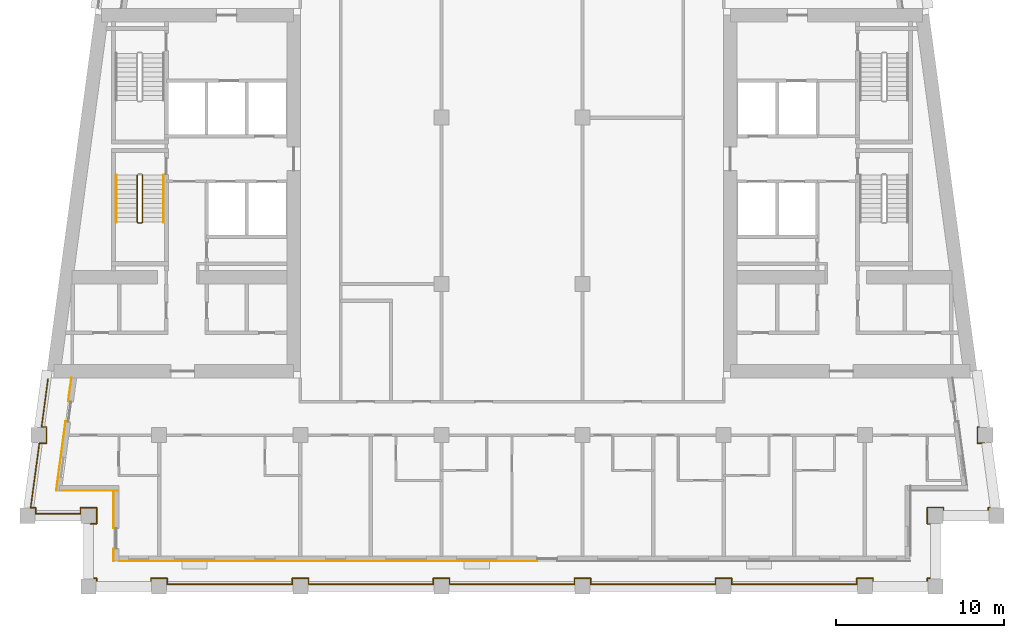
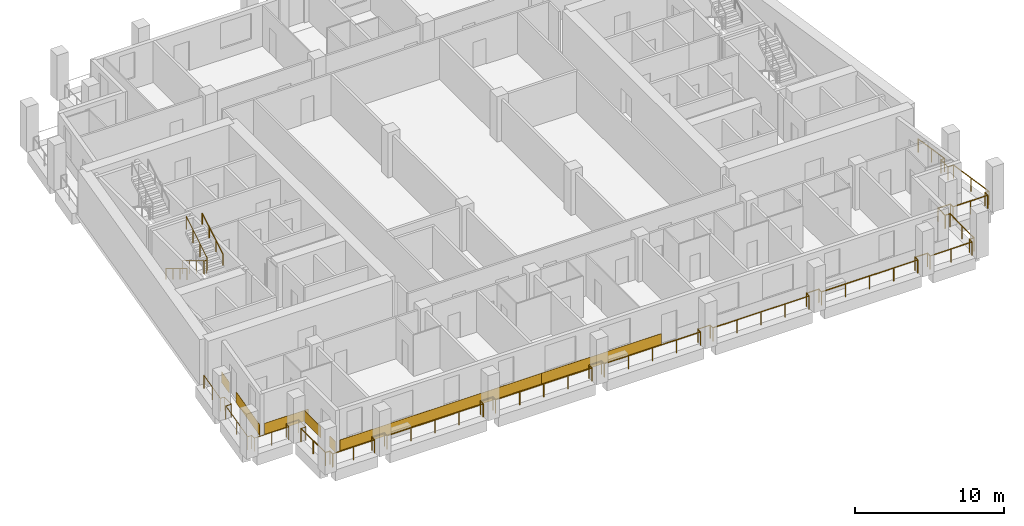
# One storey, part 8 of 12: 7 coverings, 5 railings.
"""IFC4 building model written with IfcOpenShell, lengths in metres."""

from ifc_helpers import new_model, si_unit, direction, frame, origin, origin_2d, place, context, subcontext, project, spatial, rectangle, circle, extrude, material, layer, layer_set, type_object, element, save


model = new_model("IFC4")

# Units and contexts
model_context = context("Model", 3, precision=1e-05, world=origin(), true_north=direction((0.0, 1.0)))
body_context = subcontext(model_context, "Body", "Model", "MODEL_VIEW")
ifc_project = project(units=[si_unit("LENGTHUNIT", "METRE"), si_unit("AREAUNIT", "SQUARE_METRE"), si_unit("VOLUMEUNIT", "CUBIC_METRE"), si_unit("PLANEANGLEUNIT", "RADIAN"), si_unit("MASSUNIT", "GRAM", prefix="KILO")], contexts=[model_context])

# Site, building, storey
site_placement = place(None, origin())
site = spatial("IfcSite", under=ifc_project, at=site_placement, CompositionType="ELEMENT")
building_placement = place(site_placement, origin())
building = spatial("IfcBuilding", under=site, at=building_placement, Name="Candeia Pilgrim Tower and Theatre", CompositionType="ELEMENT")
storey_placement = place(building_placement, frame((0.0, 0.0, 224.39990234375)))
storey = spatial("IfcBuildingStorey", under=building, at=storey_placement, Name="L54", CompositionType="ELEMENT", Elevation=224.39990234375)

# Railings
ifc_material_1 = material(Name="Stainless steel balustrade", Category="steel")
railing_type_1 = type_object("IfcRailingType", Name="G1 loggia guard 1100", PredefinedType="GUARDRAIL", material=ifc_material_1)
railing_1_placement = place(storey_placement, frame((88.320068359375, 101.719970703125, 0.0)))
element("IfcRailing", 1, at=railing_1_placement, inside=storey, type_object=railing_type_1, Name="Guard L54.1", PredefinedType="GUARDRAIL", context=body_context, shape_type="SweptSolid", body=[
    extrude(circle(Radius=0.02392578125, at=origin_2d()), frame((0.0, 0.0, 1.076171875), z_axis=(1.0, 0.0, 0.0), x_axis=(0.0, 1.0, 0.0)), (0.0, 0.0, 1.0), 0.35986328125),
    extrude(circle(Radius=0.02392578125, at=origin_2d()), frame((0.35986328125, 0.0, 1.076171875), z_axis=(0.0, 1.0, 0.0), x_axis=(-1.0, 0.0, 0.0)), (0.0, 0.0, 1.0), 0.9599609375),
    extrude(circle(Radius=0.02392578125, at=origin_2d()), frame((0.35986328125, 0.9599609375, 1.076171875), z_axis=(-1.0, 0.0, 0.0), x_axis=(0.0, -1.0, 0.0)), (0.0, 0.0, 1.0), 0.9599609375),
    extrude(circle(Radius=0.02392578125, at=origin_2d()), frame((-0.60009765625, 0.9599609375, 1.076171875), z_axis=(0.0, -1.0, 0.0), x_axis=(1.0, 0.0, 0.0)), (0.0, 0.0, 1.0), 0.35986328125),
    extrude(circle(Radius=0.02392578125, at=origin_2d()), frame((-0.60009765625, 0.60009765625, 1.076171875), z_axis=(-1.0, 0.0, 0.0), x_axis=(0.0, -1.0, 0.0)), (0.0, 0.0, 1.0), 2.674560546875),
    extrude(circle(Radius=0.02392578125, at=origin_2d()), frame((-3.274658203125, 0.60009765625, 1.076171875), z_axis=(0.0, 1.0, 0.0), x_axis=(-1.0, 0.0, 0.0)), (0.0, 0.0, 1.0), 0.35986328125),
    extrude(circle(Radius=0.02392578125, at=origin_2d()), frame((-3.274658203125, 0.9599609375, 1.076171875), z_axis=(-1.0, 0.0, 0.0), x_axis=(0.0, -1.0, 0.0)), (0.0, 0.0, 1.0), 0.29443359375),
    extrude(circle(Radius=0.02392578125, at=origin_2d()), frame((-3.569091796875, 0.9599609375, 1.076171875), z_axis=(0.133451286285, 0.991055373927, 0.0), x_axis=(-0.991055373927, 0.133451286285, 0.0)), (0.0, 0.0, 1.0), 3.874755859375),
    extrude(circle(Radius=0.02392578125, at=origin_2d()), frame((-3.052001953125, 4.800048828125, 1.076171875), z_axis=(1.0, 0.0, 0.0), x_axis=(0.0, 1.0, 0.0)), (0.0, 0.0, 1.0), 0.423583984375),
    extrude(circle(Radius=0.02392578125, at=origin_2d()), frame((-2.62841796875, 4.800048828125, 1.076171875), z_axis=(0.0, 1.0, 0.0), x_axis=(-1.0, 0.0, 0.0)), (0.0, 0.0, 1.0), 0.9599609375),
    extrude(circle(Radius=0.02392578125, at=origin_2d()), frame((-2.62841796875, 5.760009765625, 1.076171875), z_axis=(-1.0, 0.0, 0.0), x_axis=(0.0, -1.0, 0.0)), (0.0, 0.0, 1.0), 0.29443359375),
    extrude(circle(Radius=0.02392578125, at=origin_2d()), frame((-2.9228515625, 5.760009765625, 1.076171875), z_axis=(0.133450228179, 0.991055516406, 0.0), x_axis=(-0.991055516406, 0.133450228179, 0.0)), (0.0, 0.0, 1.0), 2.89599609375),
    extrude(circle(Radius=0.02099609375, at=origin_2d()), origin(), (0.0, 0.0, 1.0), 1.052001953125),
    extrude(circle(Radius=0.02099609375, at=origin_2d()), frame((0.35986328125, 0.0, 0.0)), (0.0, 0.0, 1.0), 1.052001953125),
    extrude(circle(Radius=0.02099609375, at=origin_2d()), frame((0.35986328125, 0.9599609375, 0.0)), (0.0, 0.0, 1.0), 1.052001953125),
    extrude(circle(Radius=0.02099609375, at=origin_2d()), frame((-0.60009765625, 0.9599609375, 0.0)), (0.0, 0.0, 1.0), 1.052001953125),
    extrude(circle(Radius=0.02099609375, at=origin_2d()), frame((-0.60009765625, 0.60009765625, 0.0)), (0.0, 0.0, 1.0), 1.052001953125),
    extrude(circle(Radius=0.02099609375, at=origin_2d()), frame((-1.9375, 0.60009765625, 0.0)), (0.0, 0.0, 1.0), 1.052001953125),
    extrude(circle(Radius=0.02099609375, at=origin_2d()), frame((-3.274658203125, 0.60009765625, 0.0)), (0.0, 0.0, 1.0), 1.052001953125),
    extrude(circle(Radius=0.02099609375, at=origin_2d()), frame((-3.274658203125, 0.9599609375, 0.0)), (0.0, 0.0, 1.0), 1.052001953125),
    extrude(circle(Radius=0.02099609375, at=origin_2d()), frame((-3.569091796875, 0.9599609375, 0.0)), (0.0, 0.0, 1.0), 1.052001953125),
    extrude(circle(Radius=0.02099609375, at=origin_2d()), frame((-3.310546875, 2.8798828125, 0.0)), (0.0, 0.0, 1.0), 1.052001953125),
    extrude(circle(Radius=0.02099609375, at=origin_2d()), frame((-3.052001953125, 4.800048828125, 0.0)), (0.0, 0.0, 1.0), 1.052001953125),
    extrude(circle(Radius=0.02099609375, at=origin_2d()), frame((-2.62841796875, 4.800048828125, 0.0)), (0.0, 0.0, 1.0), 1.052001953125),
    extrude(circle(Radius=0.02099609375, at=origin_2d()), frame((-2.62841796875, 5.760009765625, 0.0)), (0.0, 0.0, 1.0), 1.052001953125),
    extrude(circle(Radius=0.02099609375, at=origin_2d()), frame((-2.9228515625, 5.760009765625, 0.0)), (0.0, 0.0, 1.0), 1.052001953125),
    extrude(circle(Radius=0.02099609375, at=origin_2d()), frame((-2.7294921875, 7.195068359375, 0.0)), (0.0, 0.0, 1.0), 1.052001953125),
    extrude(circle(Radius=0.02099609375, at=origin_2d()), frame((-2.536376953125, 8.630126953125, 0.0)), (0.0, 0.0, 1.0), 1.052001953125),
])
railing_2_placement = place(storey_placement, frame((141.016357421875, 110.35009765625, 0.0)))
element("IfcRailing", 2, at=railing_2_placement, inside=storey, type_object=railing_type_1, Name="Guard L54.4", PredefinedType="GUARDRAIL", context=body_context, shape_type="SweptSolid", body=[
    extrude(circle(Radius=0.02392578125, at=origin_2d()), frame((0.0, 0.0, 1.076171875), z_axis=(0.133450228179, -0.991055516406, 0.0), x_axis=(0.991055516406, 0.133450228179, 0.0)), (0.0, 0.0, 1.0), 2.89599609375),
    extrude(circle(Radius=0.02392578125, at=origin_2d()), frame((0.386474609375, -2.8701171875, 1.076171875), z_axis=(-1.0, 0.0, 0.0), x_axis=(0.0, -1.0, 0.0)), (0.0, 0.0, 1.0), 0.29443359375),
    extrude(circle(Radius=0.02392578125, at=origin_2d()), frame((0.092041015625, -2.8701171875, 1.076171875), z_axis=(0.0, -1.0, 0.0), x_axis=(1.0, 0.0, 0.0)), (0.0, 0.0, 1.0), 0.9599609375),
    extrude(circle(Radius=0.02392578125, at=origin_2d()), frame((0.092041015625, -3.830078125, 1.076171875), z_axis=(1.0, 0.0, 0.0), x_axis=(0.0, 1.0, 0.0)), (0.0, 0.0, 1.0), 0.423583984375),
    extrude(circle(Radius=0.02392578125, at=origin_2d()), frame((0.515625, -3.830078125, 1.076171875), z_axis=(0.133389399471, -0.991063705374, 0.0), x_axis=(0.991063705374, 0.133389399471, 0.0)), (0.0, 0.0, 1.0), 3.874755859375),
    extrude(circle(Radius=0.02392578125, at=origin_2d()), frame((1.032470703125, -7.670166015625, 1.076171875), z_axis=(-1.0, 0.0, 0.0), x_axis=(0.0, -1.0, 0.0)), (0.0, 0.0, 1.0), 0.294189453125),
    extrude(circle(Radius=0.02392578125, at=origin_2d()), frame((0.73828125, -7.670166015625, 1.076171875), z_axis=(0.0, -1.0, 0.0), x_axis=(1.0, 0.0, 0.0)), (0.0, 0.0, 1.0), 0.35986328125),
    extrude(circle(Radius=0.02392578125, at=origin_2d()), frame((0.73828125, -8.030029296875, 1.076171875), z_axis=(-1.0, 0.0, 0.0), x_axis=(0.0, -1.0, 0.0)), (0.0, 0.0, 1.0), 2.674560546875),
    extrude(circle(Radius=0.02392578125, at=origin_2d()), frame((-1.936279296875, -8.030029296875, 1.076171875), z_axis=(0.0, 1.0, 0.0), x_axis=(-1.0, 0.0, 0.0)), (0.0, 0.0, 1.0), 0.35986328125),
    extrude(circle(Radius=0.02392578125, at=origin_2d()), frame((-1.936279296875, -7.670166015625, 1.076171875), z_axis=(-1.0, 0.0, 0.0), x_axis=(0.0, -1.0, 0.0)), (0.0, 0.0, 1.0), 0.9599609375),
    extrude(circle(Radius=0.02392578125, at=origin_2d()), frame((-2.896240234375, -7.670166015625, 1.076171875), z_axis=(0.0, -1.0, 0.0), x_axis=(1.0, 0.0, 0.0)), (0.0, 0.0, 1.0), 0.9599609375),
    extrude(circle(Radius=0.02392578125, at=origin_2d()), frame((-2.896240234375, -8.630126953125, 1.076171875), z_axis=(1.0, 0.0, 0.0), x_axis=(0.0, 1.0, 0.0)), (0.0, 0.0, 1.0), 0.35986328125),
    extrude(circle(Radius=0.02392578125, at=origin_2d()), frame((-2.536376953125, -8.630126953125, 1.076171875), z_axis=(0.0, -1.0, 0.0), x_axis=(1.0, 0.0, 0.0)), (0.0, 0.0, 1.0), 3.239990234375),
    extrude(circle(Radius=0.02392578125, at=origin_2d()), frame((-2.536376953125, -11.8701171875, 1.076171875), z_axis=(-1.0, 0.0, 0.0), x_axis=(0.0, -1.0, 0.0)), (0.0, 0.0, 1.0), 0.35986328125),
    extrude(circle(Radius=0.02392578125, at=origin_2d()), frame((-2.896240234375, -11.8701171875, 1.076171875), z_axis=(0.0, -1.0, 0.0), x_axis=(1.0, 0.0, 0.0)), (0.0, 0.0, 1.0), 0.35986328125),
    extrude(circle(Radius=0.02392578125, at=origin_2d()), frame((-2.896240234375, -12.22998046875, 1.076171875), z_axis=(-1.0, 0.0, 0.0), x_axis=(0.0, -1.0, 0.0)), (0.0, 0.0, 1.0), 3.240234375),
    extrude(circle(Radius=0.02392578125, at=origin_2d()), frame((-6.136474609375, -12.22998046875, 1.076171875), z_axis=(0.0, 1.0, 0.0), x_axis=(-1.0, 0.0, 0.0)), (0.0, 0.0, 1.0), 0.35986328125),
    extrude(circle(Radius=0.02392578125, at=origin_2d()), frame((-6.136474609375, -11.8701171875, 1.076171875), z_axis=(-1.0, 0.0, 0.0), x_axis=(0.0, -1.0, 0.0)), (0.0, 0.0, 1.0), 0.9599609375),
    extrude(circle(Radius=0.02392578125, at=origin_2d()), frame((-7.096435546875, -11.8701171875, 1.076171875), z_axis=(0.0, -1.0, 0.0), x_axis=(1.0, 0.0, 0.0)), (0.0, 0.0, 1.0), 0.35986328125),
    extrude(circle(Radius=0.02392578125, at=origin_2d()), frame((-7.096435546875, -12.22998046875, 1.076171875), z_axis=(-1.0, 0.0, 0.0), x_axis=(0.0, -1.0, 0.0)), (0.0, 0.0, 1.0), 7.43994140625),
    extrude(circle(Radius=0.02392578125, at=origin_2d()), frame((-14.536376953125, -12.22998046875, 1.076171875), z_axis=(0.0, 1.0, 0.0), x_axis=(-1.0, 0.0, 0.0)), (0.0, 0.0, 1.0), 0.35986328125),
    extrude(circle(Radius=0.02392578125, at=origin_2d()), frame((-14.536376953125, -11.8701171875, 1.076171875), z_axis=(-1.0, 0.0, 0.0), x_axis=(0.0, -1.0, 0.0)), (0.0, 0.0, 1.0), 0.9599609375),
    extrude(circle(Radius=0.02392578125, at=origin_2d()), frame((-15.496337890625, -11.8701171875, 1.076171875), z_axis=(0.0, -1.0, 0.0), x_axis=(1.0, 0.0, 0.0)), (0.0, 0.0, 1.0), 0.35986328125),
    extrude(circle(Radius=0.02392578125, at=origin_2d()), frame((-15.496337890625, -12.22998046875, 1.076171875), z_axis=(-1.0, 0.0, 0.0), x_axis=(0.0, -1.0, 0.0)), (0.0, 0.0, 1.0), 7.43994140625),
    extrude(circle(Radius=0.02392578125, at=origin_2d()), frame((-22.936279296875, -12.22998046875, 1.076171875), z_axis=(0.0, 1.0, 0.0), x_axis=(-1.0, 0.0, 0.0)), (0.0, 0.0, 1.0), 0.35986328125),
    extrude(circle(Radius=0.02392578125, at=origin_2d()), frame((-22.936279296875, -11.8701171875, 1.076171875), z_axis=(-1.0, 0.0, 0.0), x_axis=(0.0, -1.0, 0.0)), (0.0, 0.0, 1.0), 0.9599609375),
    extrude(circle(Radius=0.02392578125, at=origin_2d()), frame((-23.896240234375, -11.8701171875, 1.076171875), z_axis=(0.0, -1.0, 0.0), x_axis=(1.0, 0.0, 0.0)), (0.0, 0.0, 1.0), 0.35986328125),
    extrude(circle(Radius=0.02392578125, at=origin_2d()), frame((-23.896240234375, -12.22998046875, 1.076171875), z_axis=(-1.0, 0.0, 0.0), x_axis=(0.0, -1.0, 0.0)), (0.0, 0.0, 1.0), 7.440185546875),
    extrude(circle(Radius=0.02392578125, at=origin_2d()), frame((-31.33642578125, -12.22998046875, 1.076171875), z_axis=(0.0, 1.0, 0.0), x_axis=(-1.0, 0.0, 0.0)), (0.0, 0.0, 1.0), 0.35986328125),
    extrude(circle(Radius=0.02392578125, at=origin_2d()), frame((-31.33642578125, -11.8701171875, 1.076171875), z_axis=(-1.0, 0.0, 0.0), x_axis=(0.0, -1.0, 0.0)), (0.0, 0.0, 1.0), 0.9599609375),
    extrude(circle(Radius=0.02392578125, at=origin_2d()), frame((-32.29638671875, -11.8701171875, 1.076171875), z_axis=(0.0, -1.0, 0.0), x_axis=(1.0, 0.0, 0.0)), (0.0, 0.0, 1.0), 0.35986328125),
    extrude(circle(Radius=0.02392578125, at=origin_2d()), frame((-32.29638671875, -12.22998046875, 1.076171875), z_axis=(-1.0, 0.0, 0.0), x_axis=(0.0, -1.0, 0.0)), (0.0, 0.0, 1.0), 7.43994140625),
    extrude(circle(Radius=0.02392578125, at=origin_2d()), frame((-39.736328125, -12.22998046875, 1.076171875), z_axis=(0.0, 1.0, 0.0), x_axis=(-1.0, 0.0, 0.0)), (0.0, 0.0, 1.0), 0.35986328125),
    extrude(circle(Radius=0.02392578125, at=origin_2d()), frame((-39.736328125, -11.8701171875, 1.076171875), z_axis=(-1.0, 0.0, 0.0), x_axis=(0.0, -1.0, 0.0)), (0.0, 0.0, 1.0), 0.9599609375),
    extrude(circle(Radius=0.02392578125, at=origin_2d()), frame((-40.6962890625, -11.8701171875, 1.076171875), z_axis=(0.0, -1.0, 0.0), x_axis=(1.0, 0.0, 0.0)), (0.0, 0.0, 1.0), 0.35986328125),
    extrude(circle(Radius=0.02392578125, at=origin_2d()), frame((-40.6962890625, -12.22998046875, 1.076171875), z_axis=(-1.0, 0.0, 0.0), x_axis=(0.0, -1.0, 0.0)), (0.0, 0.0, 1.0), 7.440185546875),
    extrude(circle(Radius=0.02392578125, at=origin_2d()), frame((-48.136474609375, -12.22998046875, 1.076171875), z_axis=(0.0, 1.0, 0.0), x_axis=(-1.0, 0.0, 0.0)), (0.0, 0.0, 1.0), 0.35986328125),
    extrude(circle(Radius=0.02392578125, at=origin_2d()), frame((-48.136474609375, -11.8701171875, 1.076171875), z_axis=(-1.0, 0.0, 0.0), x_axis=(0.0, -1.0, 0.0)), (0.0, 0.0, 1.0), 0.9599609375),
    extrude(circle(Radius=0.02392578125, at=origin_2d()), frame((-49.096435546875, -11.8701171875, 1.076171875), z_axis=(0.0, -1.0, 0.0), x_axis=(1.0, 0.0, 0.0)), (0.0, 0.0, 1.0), 0.35986328125),
    extrude(circle(Radius=0.02392578125, at=origin_2d()), frame((-49.096435546875, -12.22998046875, 1.076171875), z_axis=(-1.0, 0.0, 0.0), x_axis=(0.0, -1.0, 0.0)), (0.0, 0.0, 1.0), 3.239990234375),
    extrude(circle(Radius=0.02392578125, at=origin_2d()), frame((-52.33642578125, -12.22998046875, 1.076171875), z_axis=(0.0, 1.0, 0.0), x_axis=(-1.0, 0.0, 0.0)), (0.0, 0.0, 1.0), 0.35986328125),
    extrude(circle(Radius=0.02392578125, at=origin_2d()), frame((-52.33642578125, -11.8701171875, 1.076171875), z_axis=(-1.0, 0.0, 0.0), x_axis=(0.0, -1.0, 0.0)), (0.0, 0.0, 1.0), 0.35986328125),
    extrude(circle(Radius=0.02392578125, at=origin_2d()), frame((-52.6962890625, -11.8701171875, 1.076171875), z_axis=(0.0, 1.0, 0.0), x_axis=(-1.0, 0.0, 0.0)), (0.0, 0.0, 1.0), 3.239990234375),
    extrude(circle(Radius=0.02099609375, at=origin_2d()), origin(), (0.0, 0.0, 1.0), 1.052001953125),
    extrude(circle(Radius=0.02099609375, at=origin_2d()), frame((0.193359375, -1.43505859375, 0.0)), (0.0, 0.0, 1.0), 1.052001953125),
    extrude(circle(Radius=0.02099609375, at=origin_2d()), frame((0.386474609375, -2.8701171875, 0.0)), (0.0, 0.0, 1.0), 1.052001953125),
    extrude(circle(Radius=0.02099609375, at=origin_2d()), frame((0.092041015625, -2.8701171875, 0.0)), (0.0, 0.0, 1.0), 1.052001953125),
    extrude(circle(Radius=0.02099609375, at=origin_2d()), frame((0.092041015625, -3.830078125, 0.0)), (0.0, 0.0, 1.0), 1.052001953125),
    extrude(circle(Radius=0.02099609375, at=origin_2d()), frame((0.515625, -3.830078125, 0.0)), (0.0, 0.0, 1.0), 1.052001953125),
    extrude(circle(Radius=0.02099609375, at=origin_2d()), frame((0.77392578125, -5.75, 0.0)), (0.0, 0.0, 1.0), 1.052001953125),
    extrude(circle(Radius=0.02099609375, at=origin_2d()), frame((1.032470703125, -7.670166015625, 0.0)), (0.0, 0.0, 1.0), 1.052001953125),
    extrude(circle(Radius=0.02099609375, at=origin_2d()), frame((0.73828125, -7.670166015625, 0.0)), (0.0, 0.0, 1.0), 1.052001953125),
    extrude(circle(Radius=0.02099609375, at=origin_2d()), frame((0.73828125, -8.030029296875, 0.0)), (0.0, 0.0, 1.0), 1.052001953125),
    extrude(circle(Radius=0.02099609375, at=origin_2d()), frame((-0.59912109375, -8.030029296875, 0.0)), (0.0, 0.0, 1.0), 1.052001953125),
    extrude(circle(Radius=0.02099609375, at=origin_2d()), frame((-1.936279296875, -8.030029296875, 0.0)), (0.0, 0.0, 1.0), 1.052001953125),
    extrude(circle(Radius=0.02099609375, at=origin_2d()), frame((-1.936279296875, -7.670166015625, 0.0)), (0.0, 0.0, 1.0), 1.052001953125),
    extrude(circle(Radius=0.02099609375, at=origin_2d()), frame((-2.896240234375, -7.670166015625, 0.0)), (0.0, 0.0, 1.0), 1.052001953125),
    extrude(circle(Radius=0.02099609375, at=origin_2d()), frame((-2.896240234375, -8.630126953125, 0.0)), (0.0, 0.0, 1.0), 1.052001953125),
    extrude(circle(Radius=0.02099609375, at=origin_2d()), frame((-2.536376953125, -8.630126953125, 0.0)), (0.0, 0.0, 1.0), 1.052001953125),
    extrude(circle(Radius=0.02099609375, at=origin_2d()), frame((-2.536376953125, -10.25, 0.0)), (0.0, 0.0, 1.0), 1.052001953125),
    extrude(circle(Radius=0.02099609375, at=origin_2d()), frame((-2.536376953125, -11.8701171875, 0.0)), (0.0, 0.0, 1.0), 1.052001953125),
    extrude(circle(Radius=0.02099609375, at=origin_2d()), frame((-2.896240234375, -11.8701171875, 0.0)), (0.0, 0.0, 1.0), 1.052001953125),
    extrude(circle(Radius=0.02099609375, at=origin_2d()), frame((-2.896240234375, -12.22998046875, 0.0)), (0.0, 0.0, 1.0), 1.052001953125),
    extrude(circle(Radius=0.02099609375, at=origin_2d()), frame((-4.516357421875, -12.22998046875, 0.0)), (0.0, 0.0, 1.0), 1.052001953125),
    extrude(circle(Radius=0.02099609375, at=origin_2d()), frame((-6.136474609375, -12.22998046875, 0.0)), (0.0, 0.0, 1.0), 1.052001953125),
    extrude(circle(Radius=0.02099609375, at=origin_2d()), frame((-6.136474609375, -11.8701171875, 0.0)), (0.0, 0.0, 1.0), 1.052001953125),
    extrude(circle(Radius=0.02099609375, at=origin_2d()), frame((-7.096435546875, -11.8701171875, 0.0)), (0.0, 0.0, 1.0), 1.052001953125),
    extrude(circle(Radius=0.02099609375, at=origin_2d()), frame((-7.096435546875, -12.22998046875, 0.0)), (0.0, 0.0, 1.0), 1.052001953125),
    extrude(circle(Radius=0.02099609375, at=origin_2d()), frame((-8.95654296875, -12.22998046875, 0.0)), (0.0, 0.0, 1.0), 1.052001953125),
    extrude(circle(Radius=0.02099609375, at=origin_2d()), frame((-10.81640625, -12.22998046875, 0.0)), (0.0, 0.0, 1.0), 1.052001953125),
    extrude(circle(Radius=0.02099609375, at=origin_2d()), frame((-12.67626953125, -12.22998046875, 0.0)), (0.0, 0.0, 1.0), 1.052001953125),
    extrude(circle(Radius=0.02099609375, at=origin_2d()), frame((-14.536376953125, -12.22998046875, 0.0)), (0.0, 0.0, 1.0), 1.052001953125),
    extrude(circle(Radius=0.02099609375, at=origin_2d()), frame((-14.536376953125, -11.8701171875, 0.0)), (0.0, 0.0, 1.0), 1.052001953125),
    extrude(circle(Radius=0.02099609375, at=origin_2d()), frame((-15.496337890625, -11.8701171875, 0.0)), (0.0, 0.0, 1.0), 1.052001953125),
    extrude(circle(Radius=0.02099609375, at=origin_2d()), frame((-15.496337890625, -12.22998046875, 0.0)), (0.0, 0.0, 1.0), 1.052001953125),
    extrude(circle(Radius=0.02099609375, at=origin_2d()), frame((-17.3564453125, -12.22998046875, 0.0)), (0.0, 0.0, 1.0), 1.052001953125),
    extrude(circle(Radius=0.02099609375, at=origin_2d()), frame((-19.21630859375, -12.22998046875, 0.0)), (0.0, 0.0, 1.0), 1.052001953125),
    extrude(circle(Radius=0.02099609375, at=origin_2d()), frame((-21.076171875, -12.22998046875, 0.0)), (0.0, 0.0, 1.0), 1.052001953125),
    extrude(circle(Radius=0.02099609375, at=origin_2d()), frame((-22.936279296875, -12.22998046875, 0.0)), (0.0, 0.0, 1.0), 1.052001953125),
    extrude(circle(Radius=0.02099609375, at=origin_2d()), frame((-22.936279296875, -11.8701171875, 0.0)), (0.0, 0.0, 1.0), 1.052001953125),
    extrude(circle(Radius=0.02099609375, at=origin_2d()), frame((-23.896240234375, -11.8701171875, 0.0)), (0.0, 0.0, 1.0), 1.052001953125),
    extrude(circle(Radius=0.02099609375, at=origin_2d()), frame((-23.896240234375, -12.22998046875, 0.0)), (0.0, 0.0, 1.0), 1.052001953125),
    extrude(circle(Radius=0.02099609375, at=origin_2d()), frame((-25.75634765625, -12.22998046875, 0.0)), (0.0, 0.0, 1.0), 1.052001953125),
    extrude(circle(Radius=0.02099609375, at=origin_2d()), frame((-27.6162109375, -12.22998046875, 0.0)), (0.0, 0.0, 1.0), 1.052001953125),
    extrude(circle(Radius=0.02099609375, at=origin_2d()), frame((-29.476318359375, -12.22998046875, 0.0)), (0.0, 0.0, 1.0), 1.052001953125),
    extrude(circle(Radius=0.02099609375, at=origin_2d()), frame((-31.33642578125, -12.22998046875, 0.0)), (0.0, 0.0, 1.0), 1.052001953125),
    extrude(circle(Radius=0.02099609375, at=origin_2d()), frame((-31.33642578125, -11.8701171875, 0.0)), (0.0, 0.0, 1.0), 1.052001953125),
    extrude(circle(Radius=0.02099609375, at=origin_2d()), frame((-32.29638671875, -11.8701171875, 0.0)), (0.0, 0.0, 1.0), 1.052001953125),
    extrude(circle(Radius=0.02099609375, at=origin_2d()), frame((-32.29638671875, -12.22998046875, 0.0)), (0.0, 0.0, 1.0), 1.052001953125),
    extrude(circle(Radius=0.02099609375, at=origin_2d()), frame((-34.15625, -12.22998046875, 0.0)), (0.0, 0.0, 1.0), 1.052001953125),
    extrude(circle(Radius=0.02099609375, at=origin_2d()), frame((-36.016357421875, -12.22998046875, 0.0)), (0.0, 0.0, 1.0), 1.052001953125),
    extrude(circle(Radius=0.02099609375, at=origin_2d()), frame((-37.87646484375, -12.22998046875, 0.0)), (0.0, 0.0, 1.0), 1.052001953125),
    extrude(circle(Radius=0.02099609375, at=origin_2d()), frame((-39.736328125, -12.22998046875, 0.0)), (0.0, 0.0, 1.0), 1.052001953125),
    extrude(circle(Radius=0.02099609375, at=origin_2d()), frame((-39.736328125, -11.8701171875, 0.0)), (0.0, 0.0, 1.0), 1.052001953125),
    extrude(circle(Radius=0.02099609375, at=origin_2d()), frame((-40.6962890625, -11.8701171875, 0.0)), (0.0, 0.0, 1.0), 1.052001953125),
    extrude(circle(Radius=0.02099609375, at=origin_2d()), frame((-40.6962890625, -12.22998046875, 0.0)), (0.0, 0.0, 1.0), 1.052001953125),
    extrude(circle(Radius=0.02099609375, at=origin_2d()), frame((-42.556396484375, -12.22998046875, 0.0)), (0.0, 0.0, 1.0), 1.052001953125),
    extrude(circle(Radius=0.02099609375, at=origin_2d()), frame((-44.41650390625, -12.22998046875, 0.0)), (0.0, 0.0, 1.0), 1.052001953125),
    extrude(circle(Radius=0.02099609375, at=origin_2d()), frame((-46.2763671875, -12.22998046875, 0.0)), (0.0, 0.0, 1.0), 1.052001953125),
    extrude(circle(Radius=0.02099609375, at=origin_2d()), frame((-48.136474609375, -12.22998046875, 0.0)), (0.0, 0.0, 1.0), 1.052001953125),
    extrude(circle(Radius=0.02099609375, at=origin_2d()), frame((-48.136474609375, -11.8701171875, 0.0)), (0.0, 0.0, 1.0), 1.052001953125),
    extrude(circle(Radius=0.02099609375, at=origin_2d()), frame((-49.096435546875, -11.8701171875, 0.0)), (0.0, 0.0, 1.0), 1.052001953125),
    extrude(circle(Radius=0.02099609375, at=origin_2d()), frame((-49.096435546875, -12.22998046875, 0.0)), (0.0, 0.0, 1.0), 1.052001953125),
    extrude(circle(Radius=0.02099609375, at=origin_2d()), frame((-50.71630859375, -12.22998046875, 0.0)), (0.0, 0.0, 1.0), 1.052001953125),
    extrude(circle(Radius=0.02099609375, at=origin_2d()), frame((-52.33642578125, -12.22998046875, 0.0)), (0.0, 0.0, 1.0), 1.052001953125),
    extrude(circle(Radius=0.02099609375, at=origin_2d()), frame((-52.33642578125, -11.8701171875, 0.0)), (0.0, 0.0, 1.0), 1.052001953125),
    extrude(circle(Radius=0.02099609375, at=origin_2d()), frame((-52.6962890625, -11.8701171875, 0.0)), (0.0, 0.0, 1.0), 1.052001953125),
    extrude(circle(Radius=0.02099609375, at=origin_2d()), frame((-52.6962890625, -10.25, 0.0)), (0.0, 0.0, 1.0), 1.052001953125),
    extrude(circle(Radius=0.02099609375, at=origin_2d()), frame((-52.6962890625, -8.630126953125, 0.0)), (0.0, 0.0, 1.0), 1.052001953125),
])

# Coverings
ifc_material_2 = material(Name="Glazed ceramic tile bottle green")
ifc_layer_1 = layer(ifc_material_2, 0.02001953125)
ifc_layer_set_1 = layer_set([ifc_layer_1], Name="Glazed ceramic tile bottle green")
covering_type_1 = type_object("IfcCoveringType", Name="Glazed ceramic tile bottle green", PredefinedType="CLADDING", material=ifc_layer_set_1)
covering_1_placement = place(storey_placement, frame((110.25, 99.489990234375, 0.000244140625), z_axis=(0.0, 0.0, 1.0), x_axis=(1.0, 0.0, 0.0)))
element("IfcCovering", 3, at=covering_1_placement, inside=storey, type_object=covering_type_1, Name="Tile cladding bottle green L54", PredefinedType="CLADDING", context=body_context, shape_type="SweptSolid", body=[
    extrude(rectangle(XDim=9.300048828125, YDim=0.02001953125, at=origin_2d()), origin(), (0.0, 0.0, 1.0), 0.89990234375),
])
ifc_material_3 = material(Name="Glazed ceramic tile rust")
ifc_layer_2 = layer(ifc_material_3, 0.02001953125)
ifc_layer_set_2 = layer_set([ifc_layer_2], Name="Glazed ceramic tile rust")
covering_type_2 = type_object("IfcCoveringType", Name="Glazed ceramic tile rust", PredefinedType="CLADDING", material=ifc_layer_set_2)
covering_2_placement = place(storey_placement, frame((97.81005859375, 99.489990234375, 0.000244140625), z_axis=(0.0, 0.0, 1.0), x_axis=(1.0, 0.0, 0.0)))
element("IfcCovering", 4, at=covering_2_placement, inside=storey, type_object=covering_type_2, Name="Tile cladding rust L54", PredefinedType="CLADDING", context=body_context, shape_type="SweptSolid", body=[
    extrude(rectangle(XDim=15.580078125, YDim=0.02001953125, at=origin_2d()), origin(), (0.0, 0.0, 1.0), 0.89990234375),
])
covering_3_placement = place(storey_placement, frame((87.0810546875, 109.71875, 0.000244140625), z_axis=(0.0, 0.0, 1.0), x_axis=(-0.133412012145, -0.991060661622, 0.0)))
element("IfcCovering", 5, at=covering_3_placement, inside=storey, type_object=covering_type_2, Name="Tile cladding rust L54", PredefinedType="CLADDING", context=body_context, shape_type="SweptSolid", body=[
    extrude(rectangle(XDim=1.41796875, YDim=0.02001953125, at=origin_2d()), origin(), (0.0, 0.0, 1.0), 0.89990234375),
])
covering_4_placement = place(storey_placement, frame((86.548583984375, 105.763916015625, 0.000244140625), z_axis=(0.0, 0.0, 1.0), x_axis=(-0.133412012145, -0.991060661622, 0.0)))
element("IfcCovering", 6, at=covering_4_placement, inside=storey, type_object=covering_type_2, Name="Tile cladding rust L54", PredefinedType="CLADDING", context=body_context, shape_type="SweptSolid", body=[
    extrude(rectangle(XDim=4.16259765625, YDim=0.02001953125, at=origin_2d()), origin(), (0.0, 0.0, 1.0), 0.89990234375),
])
covering_5_placement = place(storey_placement, frame((88.311279296875, 103.68994140625, 0.000244140625), z_axis=(0.0, 0.0, 1.0), x_axis=(1.0, 0.0, 0.0)))
element("IfcCovering", 7, at=covering_5_placement, inside=storey, type_object=covering_type_2, Name="Tile cladding rust L54", PredefinedType="CLADDING", context=body_context, shape_type="SweptSolid", body=[
    extrude(rectangle(XDim=3.377685546875, YDim=0.02001953125, at=origin_2d()), origin(), (0.0, 0.0, 1.0), 0.89990234375),
])
covering_6_placement = place(storey_placement, frame((89.68994140625, 102.56494140625, 0.000244140625), z_axis=(0.0, 0.0, 1.0), x_axis=(0.0, -1.0, 0.0)))
element("IfcCovering", 8, at=covering_6_placement, inside=storey, type_object=covering_type_2, Name="Tile cladding rust L54", PredefinedType="CLADDING", context=body_context, shape_type="SweptSolid", body=[
    extrude(rectangle(XDim=2.22998046875, YDim=0.02001953125, at=origin_2d()), origin(), (0.0, 0.0, 1.0), 0.89990234375),
])
covering_7_placement = place(storey_placement, frame((89.68994140625, 99.875, 0.000244140625), z_axis=(0.0, 0.0, 1.0), x_axis=(0.0, -1.0, 0.0)))
element("IfcCovering", 9, at=covering_7_placement, inside=storey, type_object=covering_type_2, Name="Tile cladding rust L54", PredefinedType="CLADDING", context=body_context, shape_type="SweptSolid", body=[
    extrude(rectangle(XDim=0.75, YDim=0.02001953125, at=origin_2d()), origin(), (0.0, 0.0, 1.0), 0.89990234375),
])

# Railings
railing_type_2 = type_object("IfcRailingType", Name="RL-GUARD-1100", PredefinedType="GUARDRAIL", material=ifc_material_1)
railing_3_placement = place(storey_placement, frame((91.10205078125, 122.47509765625, 0.168212890625)))
element("IfcRailing", 10, at=railing_3_placement, inside=storey, type_object=railing_type_2, Name="L54 ST1 stair guard 1", PredefinedType="GUARDRAIL", context=body_context, shape_type="SweptSolid", body=[
    extrude(circle(Radius=0.02392578125, at=origin_2d()), frame((0.0, 0.0, 1.076171875), z_axis=(0.0, -0.857242210791, 0.514913383045), x_axis=(1.0, 0.0, 0.0)), (0.0, 0.0, 1.0), 3.266357421875),
    extrude(circle(Radius=0.02392578125, at=origin_2d()), frame((0.0, -2.800048828125, 2.7578125), z_axis=(0.707106781187, -0.707106781187, 0.0), x_axis=(0.707106781187, 0.707106781187, 0.0)), (0.0, 0.0, 1.0), 0.07080078125),
    extrude(circle(Radius=0.02392578125, at=origin_2d()), frame((0.050048828125, -2.85009765625, 2.7578125), z_axis=(1.0, 0.0, 0.0), x_axis=(0.0, 1.0, 0.0)), (0.0, 0.0, 1.0), 0.199951171875),
    extrude(circle(Radius=0.02392578125, at=origin_2d()), frame((0.25, -2.85009765625, 2.7578125), z_axis=(0.274243871929, 0.274243871929, 0.92172696468), x_axis=(-0.707106781187, 0.707106781187, 0.0)), (0.0, 0.0, 1.0), 0.1826171875),
    extrude(circle(Radius=0.02392578125, at=origin_2d()), frame((0.300048828125, -2.800048828125, 2.92626953125), z_axis=(0.0, 0.857242210791, 0.514913383045), x_axis=(-1.0, 0.0, 0.0)), (0.0, 0.0, 1.0), 3.266357421875),
    extrude(circle(Radius=0.02099609375, at=origin_2d()), origin(), (0.0, 0.0, 1.0), 1.052001953125),
    extrude(circle(Radius=0.02099609375, at=origin_2d()), frame((0.0, -0.933349609375, 0.560546875)), (0.0, 0.0, 1.0), 1.052001953125),
    extrude(circle(Radius=0.02099609375, at=origin_2d()), frame((0.0, -1.86669921875, 1.121337890625)), (0.0, 0.0, 1.0), 1.052001953125),
    extrude(circle(Radius=0.02099609375, at=origin_2d()), frame((0.0, -2.800048828125, 1.681884765625)), (0.0, 0.0, 1.0), 1.052001953125),
    extrude(circle(Radius=0.02099609375, at=origin_2d()), frame((0.050048828125, -2.85009765625, 1.681884765625)), (0.0, 0.0, 1.0), 1.052001953125),
    extrude(circle(Radius=0.02099609375, at=origin_2d()), frame((0.25, -2.85009765625, 1.681884765625)), (0.0, 0.0, 1.0), 1.052001953125),
    extrude(circle(Radius=0.02099609375, at=origin_2d()), frame((0.300048828125, -2.800048828125, 1.85009765625)), (0.0, 0.0, 1.0), 1.052001953125),
    extrude(circle(Radius=0.02099609375, at=origin_2d()), frame((0.300048828125, -1.86669921875, 2.41064453125)), (0.0, 0.0, 1.0), 1.052001953125),
    extrude(circle(Radius=0.02099609375, at=origin_2d()), frame((0.300048828125, -0.933349609375, 2.971435546875)), (0.0, 0.0, 1.0), 1.052001953125),
    extrude(circle(Radius=0.02099609375, at=origin_2d()), frame((0.300048828125, 0.0, 3.531982421875)), (0.0, 0.0, 1.0), 1.052001953125),
])
ifc_material_4 = material(Name="Stainless steel handrail", Category="steel")
railing_type_3 = type_object("IfcRailingType", Name="RL-HANDRAIL-900", PredefinedType="HANDRAIL", material=ifc_material_4)
railing_4_placement = place(storey_placement, frame((89.85205078125, 122.47509765625, 0.168212890625)))
element("IfcRailing", 11, at=railing_4_placement, inside=storey, type_object=railing_type_3, Name="L54 ST1 stair handrail 1", PredefinedType="HANDRAIL", context=body_context, shape_type="SweptSolid", body=[
    extrude(circle(Radius=0.02392578125, at=origin_2d()), frame((0.0, 0.0, 0.8759765625), z_axis=(0.0, -0.857242210791, 0.514913383045), x_axis=(1.0, 0.0, 0.0)), (0.0, 0.0, 1.0), 3.266357421875),
    extrude(circle(Radius=0.02099609375, at=origin_2d()), origin(), (0.0, 0.0, 1.0), 0.851806640625),
    extrude(circle(Radius=0.02099609375, at=origin_2d()), frame((0.0, -0.933349609375, 0.560546875)), (0.0, 0.0, 1.0), 0.851806640625),
    extrude(circle(Radius=0.02099609375, at=origin_2d()), frame((0.0, -1.86669921875, 1.121337890625)), (0.0, 0.0, 1.0), 0.851806640625),
    extrude(circle(Radius=0.02099609375, at=origin_2d()), frame((0.0, -2.800048828125, 1.681884765625)), (0.0, 0.0, 1.0), 0.851806640625),
])
railing_5_placement = place(storey_placement, frame((92.652099609375, 119.675048828125, 2.018310546875)))
element("IfcRailing", 12, at=railing_5_placement, inside=storey, type_object=railing_type_3, Name="L54 ST1 stair handrail 2", PredefinedType="HANDRAIL", context=body_context, shape_type="SweptSolid", body=[
    extrude(circle(Radius=0.02392578125, at=origin_2d()), frame((0.0, 0.0, 0.8759765625), z_axis=(0.0, 0.857242210791, 0.514913383045), x_axis=(-1.0, 0.0, 0.0)), (0.0, 0.0, 1.0), 3.266357421875),
    extrude(circle(Radius=0.02099609375, at=origin_2d()), origin(), (0.0, 0.0, 1.0), 0.851806640625),
    extrude(circle(Radius=0.02099609375, at=origin_2d()), frame((0.0, 0.933349609375, 0.560546875)), (0.0, 0.0, 1.0), 0.851806640625),
    extrude(circle(Radius=0.02099609375, at=origin_2d()), frame((0.0, 1.86669921875, 1.121337890625)), (0.0, 0.0, 1.0), 0.851806640625),
    extrude(circle(Radius=0.02099609375, at=origin_2d()), frame((0.0, 2.800048828125, 1.681884765625)), (0.0, 0.0, 1.0), 0.851806640625),
])

save(model, "model.ifc")
